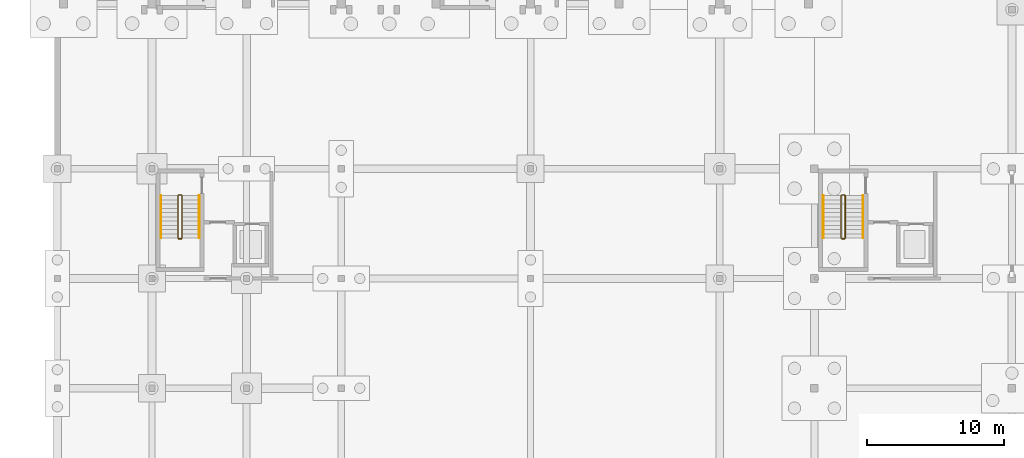
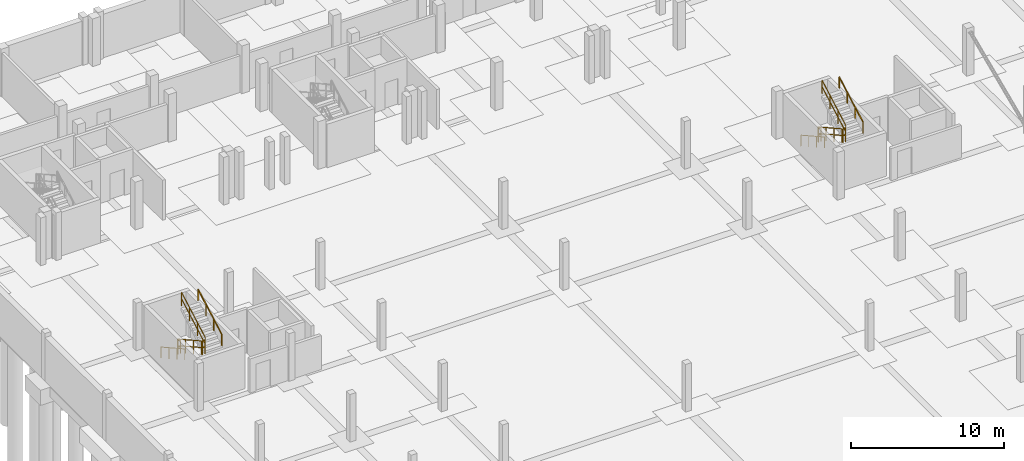
# One storey, part 33 of 38: 12 railings.
"""IFC4 building model written with IfcOpenShell, lengths in metres."""

from ifc_helpers import new_model, si_unit, direction, frame, origin, origin_2d, place, context, subcontext, project, spatial, rectangle, extrude, material, type_object, element, save


model = new_model("IFC4")

# Units and contexts
model_context = context("Model", 3, precision=1e-05, world=origin(), true_north=direction((0.0, 1.0)))
body_context = subcontext(model_context, "Body", "Model", "MODEL_VIEW")
ifc_project = project(units=[si_unit("LENGTHUNIT", "METRE"), si_unit("AREAUNIT", "SQUARE_METRE"), si_unit("VOLUMEUNIT", "CUBIC_METRE"), si_unit("PLANEANGLEUNIT", "RADIAN"), si_unit("MASSUNIT", "GRAM", prefix="KILO")], contexts=[model_context])

# Site, building, storey
site_placement = place(None, origin())
site = spatial("IfcSite", under=ifc_project, at=site_placement, CompositionType="ELEMENT")
building_placement = place(site_placement, origin())
building = spatial("IfcBuilding", under=site, at=building_placement, Name="Zavelmont Quarter", CompositionType="ELEMENT")
storey_placement = place(building_placement, frame((0.0, 0.0, -3.800048828125)))
storey = spatial("IfcBuildingStorey", under=building, at=storey_placement, Name="B01", CompositionType="ELEMENT", Elevation=-3.800048828125)

# Railings
ifc_material_1 = material(Name="Powder-coated steel stair guardrail", Category="steel")
railing_type_1 = type_object("IfcRailingType", Name="RL-GRD1", PredefinedType="GUARDRAIL", material=ifc_material_1)
railing_1_placement = place(storey_placement, frame((57.14990234375, 84.050048828125, 0.1728515625)))
element("IfcRailing", 1, at=railing_1_placement, inside=storey, type_object=railing_type_1, Name="B01 ST09 stair guardrail 1", PredefinedType="GUARDRAIL", context=body_context, shape_type="SweptSolid", body=[
    extrude(rectangle(XDim=0.048095703125, YDim=0.048095703125, at=origin_2d()), frame((0.0, 0.0, 1.076171875), z_axis=(0.0, -0.87355627631, 0.486723157575), x_axis=(1.0, 0.0, 0.0)), (0.0, 0.0, 1.0), 3.548828125),
    extrude(rectangle(XDim=0.048095703125, YDim=0.048095703125, at=origin_2d()), frame((0.0, 0.0, 0.550048828125), z_axis=(0.0, -0.87355627631, 0.486723157575), x_axis=(1.0, 0.0, 0.0)), (0.0, 0.0, 1.0), 3.548828125),
    extrude(rectangle(XDim=0.0419921875, YDim=0.0419921875, at=origin_2d()), origin(), (0.0, 0.0, 1.0), 1.052001953125),
    extrude(rectangle(XDim=0.0419921875, YDim=0.0419921875, at=origin_2d()), frame((0.0, -1.033447265625, 0.57568359375)), (0.0, 0.0, 1.0), 1.052001953125),
    extrude(rectangle(XDim=0.0419921875, YDim=0.0419921875, at=origin_2d()), frame((0.0, -2.066650390625, 1.151611328125)), (0.0, 0.0, 1.0), 1.052001953125),
    extrude(rectangle(XDim=0.0419921875, YDim=0.0419921875, at=origin_2d()), frame((0.0, -3.10009765625, 1.727294921875)), (0.0, 0.0, 1.0), 1.052001953125),
])
railing_2_placement = place(storey_placement, frame((57.199951171875, 80.89990234375, 1.900146484375)))
element("IfcRailing", 2, at=railing_2_placement, inside=storey, type_object=railing_type_1, Name="B01 ST09 stair guardrail 2", PredefinedType="GUARDRAIL", context=body_context, shape_type="SweptSolid", body=[
    extrude(rectangle(XDim=0.048095703125, YDim=0.048095703125, at=origin_2d()), frame((0.0, 0.0, 1.076171875), z_axis=(1.0, 0.0, 0.0), x_axis=(0.0, 1.0, 0.0)), (0.0, 0.0, 1.0), 0.199951171875),
    extrude(rectangle(XDim=0.048095703125, YDim=0.048095703125, at=origin_2d()), frame((0.0, 0.0, 0.550048828125), z_axis=(1.0, 0.0, 0.0), x_axis=(0.0, 1.0, 0.0)), (0.0, 0.0, 1.0), 0.199951171875),
    extrude(rectangle(XDim=0.0419921875, YDim=0.0419921875, at=origin_2d()), origin(), (0.0, 0.0, 1.0), 1.052001953125),
    extrude(rectangle(XDim=0.0419921875, YDim=0.0419921875, at=origin_2d()), frame((0.199951171875, 0.0, 0.0)), (0.0, 0.0, 1.0), 1.052001953125),
])
railing_3_placement = place(storey_placement, frame((57.449951171875, 80.949951171875, 2.07275390625)))
element("IfcRailing", 3, at=railing_3_placement, inside=storey, type_object=railing_type_1, Name="B01 ST09 stair guardrail 3", PredefinedType="GUARDRAIL", context=body_context, shape_type="SweptSolid", body=[
    extrude(rectangle(XDim=0.048095703125, YDim=0.048095703125, at=origin_2d()), frame((0.0, 0.0, 1.076171875), z_axis=(0.0, 0.87355627631, 0.486723157575), x_axis=(-1.0, 0.0, 0.0)), (0.0, 0.0, 1.0), 3.548828125),
    extrude(rectangle(XDim=0.048095703125, YDim=0.048095703125, at=origin_2d()), frame((0.0, 0.0, 0.550048828125), z_axis=(0.0, 0.87355627631, 0.486723157575), x_axis=(-1.0, 0.0, 0.0)), (0.0, 0.0, 1.0), 3.548828125),
    extrude(rectangle(XDim=0.0419921875, YDim=0.0419921875, at=origin_2d()), origin(), (0.0, 0.0, 1.0), 1.052001953125),
    extrude(rectangle(XDim=0.0419921875, YDim=0.0419921875, at=origin_2d()), frame((0.0, 1.033447265625, 0.57568359375)), (0.0, 0.0, 1.0), 1.052001953125),
    extrude(rectangle(XDim=0.0419921875, YDim=0.0419921875, at=origin_2d()), frame((0.0, 2.066650390625, 1.151611328125)), (0.0, 0.0, 1.0), 1.052001953125),
    extrude(rectangle(XDim=0.0419921875, YDim=0.0419921875, at=origin_2d()), frame((0.0, 3.10009765625, 1.727294921875)), (0.0, 0.0, 1.0), 1.052001953125),
])
railing_4_placement = place(storey_placement, frame((57.199951171875, 84.10009765625, 0.0)))
element("IfcRailing", 4, at=railing_4_placement, inside=storey, type_object=railing_type_1, Name="B01 ST09 stair guardrail 4", PredefinedType="GUARDRAIL", context=body_context, shape_type="SweptSolid", body=[
    extrude(rectangle(XDim=0.048095703125, YDim=0.048095703125, at=origin_2d()), frame((0.0, 0.0, 1.076171875), z_axis=(1.0, 0.0, 0.0), x_axis=(0.0, 1.0, 0.0)), (0.0, 0.0, 1.0), 0.199951171875),
    extrude(rectangle(XDim=0.048095703125, YDim=0.048095703125, at=origin_2d()), frame((0.0, 0.0, 0.550048828125), z_axis=(1.0, 0.0, 0.0), x_axis=(0.0, 1.0, 0.0)), (0.0, 0.0, 1.0), 0.199951171875),
    extrude(rectangle(XDim=0.0419921875, YDim=0.0419921875, at=origin_2d()), origin(), (0.0, 0.0, 1.0), 1.052001953125),
    extrude(rectangle(XDim=0.0419921875, YDim=0.0419921875, at=origin_2d()), frame((0.199951171875, 0.0, 0.0)), (0.0, 0.0, 1.0), 1.052001953125),
])
railing_5_placement = place(storey_placement, frame((8.800048828125, 84.050048828125, 0.1728515625)))
element("IfcRailing", 5, at=railing_5_placement, inside=storey, type_object=railing_type_1, Name="B01 ST14 stair guardrail 1", PredefinedType="GUARDRAIL", context=body_context, shape_type="SweptSolid", body=[
    extrude(rectangle(XDim=0.048095703125, YDim=0.048095703125, at=origin_2d()), frame((0.0, 0.0, 1.076171875), z_axis=(0.0, -0.87355627631, 0.486723157575), x_axis=(1.0, 0.0, 0.0)), (0.0, 0.0, 1.0), 3.548828125),
    extrude(rectangle(XDim=0.048095703125, YDim=0.048095703125, at=origin_2d()), frame((0.0, 0.0, 0.550048828125), z_axis=(0.0, -0.87355627631, 0.486723157575), x_axis=(1.0, 0.0, 0.0)), (0.0, 0.0, 1.0), 3.548828125),
    extrude(rectangle(XDim=0.0419921875, YDim=0.0419921875, at=origin_2d()), origin(), (0.0, 0.0, 1.0), 1.052001953125),
    extrude(rectangle(XDim=0.0419921875, YDim=0.0419921875, at=origin_2d()), frame((0.0, -1.033447265625, 0.57568359375)), (0.0, 0.0, 1.0), 1.052001953125),
    extrude(rectangle(XDim=0.0419921875, YDim=0.0419921875, at=origin_2d()), frame((0.0, -2.066650390625, 1.151611328125)), (0.0, 0.0, 1.0), 1.052001953125),
    extrude(rectangle(XDim=0.0419921875, YDim=0.0419921875, at=origin_2d()), frame((0.0, -3.10009765625, 1.727294921875)), (0.0, 0.0, 1.0), 1.052001953125),
])
railing_6_placement = place(storey_placement, frame((8.85009765625, 80.89990234375, 1.900146484375)))
element("IfcRailing", 6, at=railing_6_placement, inside=storey, type_object=railing_type_1, Name="B01 ST14 stair guardrail 2", PredefinedType="GUARDRAIL", context=body_context, shape_type="SweptSolid", body=[
    extrude(rectangle(XDim=0.048095703125, YDim=0.048095703125, at=origin_2d()), frame((0.0, 0.0, 1.076171875), z_axis=(1.0, 0.0, 0.0), x_axis=(0.0, 1.0, 0.0)), (0.0, 0.0, 1.0), 0.199951171875),
    extrude(rectangle(XDim=0.048095703125, YDim=0.048095703125, at=origin_2d()), frame((0.0, 0.0, 0.550048828125), z_axis=(1.0, 0.0, 0.0), x_axis=(0.0, 1.0, 0.0)), (0.0, 0.0, 1.0), 0.199951171875),
    extrude(rectangle(XDim=0.0419921875, YDim=0.0419921875, at=origin_2d()), origin(), (0.0, 0.0, 1.0), 1.052001953125),
    extrude(rectangle(XDim=0.0419921875, YDim=0.0419921875, at=origin_2d()), frame((0.199951171875, 0.0, 0.0)), (0.0, 0.0, 1.0), 1.052001953125),
])
railing_7_placement = place(storey_placement, frame((9.10009765625, 80.949951171875, 2.07275390625)))
element("IfcRailing", 7, at=railing_7_placement, inside=storey, type_object=railing_type_1, Name="B01 ST14 stair guardrail 3", PredefinedType="GUARDRAIL", context=body_context, shape_type="SweptSolid", body=[
    extrude(rectangle(XDim=0.048095703125, YDim=0.048095703125, at=origin_2d()), frame((0.0, 0.0, 1.076171875), z_axis=(0.0, 0.87355627631, 0.486723157575), x_axis=(-1.0, 0.0, 0.0)), (0.0, 0.0, 1.0), 3.548828125),
    extrude(rectangle(XDim=0.048095703125, YDim=0.048095703125, at=origin_2d()), frame((0.0, 0.0, 0.550048828125), z_axis=(0.0, 0.87355627631, 0.486723157575), x_axis=(-1.0, 0.0, 0.0)), (0.0, 0.0, 1.0), 3.548828125),
    extrude(rectangle(XDim=0.0419921875, YDim=0.0419921875, at=origin_2d()), origin(), (0.0, 0.0, 1.0), 1.052001953125),
    extrude(rectangle(XDim=0.0419921875, YDim=0.0419921875, at=origin_2d()), frame((0.0, 1.033447265625, 0.57568359375)), (0.0, 0.0, 1.0), 1.052001953125),
    extrude(rectangle(XDim=0.0419921875, YDim=0.0419921875, at=origin_2d()), frame((0.0, 2.066650390625, 1.151611328125)), (0.0, 0.0, 1.0), 1.052001953125),
    extrude(rectangle(XDim=0.0419921875, YDim=0.0419921875, at=origin_2d()), frame((0.0, 3.10009765625, 1.727294921875)), (0.0, 0.0, 1.0), 1.052001953125),
])
railing_8_placement = place(storey_placement, frame((8.85009765625, 84.10009765625, 0.0)))
element("IfcRailing", 8, at=railing_8_placement, inside=storey, type_object=railing_type_1, Name="B01 ST14 stair guardrail 4", PredefinedType="GUARDRAIL", context=body_context, shape_type="SweptSolid", body=[
    extrude(rectangle(XDim=0.048095703125, YDim=0.048095703125, at=origin_2d()), frame((0.0, 0.0, 1.076171875), z_axis=(1.0, 0.0, 0.0), x_axis=(0.0, 1.0, 0.0)), (0.0, 0.0, 1.0), 0.199951171875),
    extrude(rectangle(XDim=0.048095703125, YDim=0.048095703125, at=origin_2d()), frame((0.0, 0.0, 0.550048828125), z_axis=(1.0, 0.0, 0.0), x_axis=(0.0, 1.0, 0.0)), (0.0, 0.0, 1.0), 0.199951171875),
    extrude(rectangle(XDim=0.0419921875, YDim=0.0419921875, at=origin_2d()), origin(), (0.0, 0.0, 1.0), 1.052001953125),
    extrude(rectangle(XDim=0.0419921875, YDim=0.0419921875, at=origin_2d()), frame((0.199951171875, 0.0, 0.0)), (0.0, 0.0, 1.0), 1.052001953125),
])
ifc_material_2 = material(Name="Brushed stainless-steel wall handrail", Category="steel")
railing_type_2 = type_object("IfcRailingType", Name="RL-HND1", PredefinedType="HANDRAIL", material=ifc_material_2)
railing_9_placement = place(storey_placement, frame((55.85009765625, 84.050048828125, 0.1728515625)))
element("IfcRailing", 9, at=railing_9_placement, inside=storey, type_object=railing_type_2, Name="B01 ST09 stair handrail 1", PredefinedType="HANDRAIL", context=body_context, shape_type="SweptSolid", body=[
    extrude(rectangle(XDim=0.048095703125, YDim=0.048095703125, at=origin_2d()), frame((0.0, 0.0, 0.8759765625), z_axis=(0.0, -0.87355627631, 0.486723157575), x_axis=(1.0, 0.0, 0.0)), (0.0, 0.0, 1.0), 3.548828125),
    extrude(rectangle(XDim=0.0419921875, YDim=0.0419921875, at=origin_2d()), origin(), (0.0, 0.0, 1.0), 0.851806640625),
    extrude(rectangle(XDim=0.0419921875, YDim=0.0419921875, at=origin_2d()), frame((0.0, -1.033447265625, 0.57568359375)), (0.0, 0.0, 1.0), 0.851806640625),
    extrude(rectangle(XDim=0.0419921875, YDim=0.0419921875, at=origin_2d()), frame((0.0, -2.066650390625, 1.151611328125)), (0.0, 0.0, 1.0), 0.851806640625),
    extrude(rectangle(XDim=0.0419921875, YDim=0.0419921875, at=origin_2d()), frame((0.0, -3.10009765625, 1.727294921875)), (0.0, 0.0, 1.0), 0.851806640625),
])
railing_10_placement = place(storey_placement, frame((58.75, 80.949951171875, 2.07275390625)))
element("IfcRailing", 10, at=railing_10_placement, inside=storey, type_object=railing_type_2, Name="B01 ST09 stair handrail 2", PredefinedType="HANDRAIL", context=body_context, shape_type="SweptSolid", body=[
    extrude(rectangle(XDim=0.048095703125, YDim=0.048095703125, at=origin_2d()), frame((0.0, 0.0, 0.8759765625), z_axis=(0.0, 0.87355627631, 0.486723157575), x_axis=(-1.0, 0.0, 0.0)), (0.0, 0.0, 1.0), 3.548828125),
    extrude(rectangle(XDim=0.0419921875, YDim=0.0419921875, at=origin_2d()), origin(), (0.0, 0.0, 1.0), 0.851806640625),
    extrude(rectangle(XDim=0.0419921875, YDim=0.0419921875, at=origin_2d()), frame((0.0, 1.033447265625, 0.57568359375)), (0.0, 0.0, 1.0), 0.851806640625),
    extrude(rectangle(XDim=0.0419921875, YDim=0.0419921875, at=origin_2d()), frame((0.0, 2.066650390625, 1.151611328125)), (0.0, 0.0, 1.0), 0.851806640625),
    extrude(rectangle(XDim=0.0419921875, YDim=0.0419921875, at=origin_2d()), frame((0.0, 3.10009765625, 1.727294921875)), (0.0, 0.0, 1.0), 0.851806640625),
])
railing_11_placement = place(storey_placement, frame((7.550048828125, 84.050048828125, 0.1728515625)))
element("IfcRailing", 11, at=railing_11_placement, inside=storey, type_object=railing_type_2, Name="B01 ST14 stair handrail 1", PredefinedType="HANDRAIL", context=body_context, shape_type="SweptSolid", body=[
    extrude(rectangle(XDim=0.048095703125, YDim=0.048095703125, at=origin_2d()), frame((0.0, 0.0, 0.8759765625), z_axis=(0.0, -0.87355627631, 0.486723157575), x_axis=(1.0, 0.0, 0.0)), (0.0, 0.0, 1.0), 3.548828125),
    extrude(rectangle(XDim=0.0419921875, YDim=0.0419921875, at=origin_2d()), origin(), (0.0, 0.0, 1.0), 0.851806640625),
    extrude(rectangle(XDim=0.0419921875, YDim=0.0419921875, at=origin_2d()), frame((0.0, -1.033447265625, 0.57568359375)), (0.0, 0.0, 1.0), 0.851806640625),
    extrude(rectangle(XDim=0.0419921875, YDim=0.0419921875, at=origin_2d()), frame((0.0, -2.066650390625, 1.151611328125)), (0.0, 0.0, 1.0), 0.851806640625),
    extrude(rectangle(XDim=0.0419921875, YDim=0.0419921875, at=origin_2d()), frame((0.0, -3.10009765625, 1.727294921875)), (0.0, 0.0, 1.0), 0.851806640625),
])
railing_12_placement = place(storey_placement, frame((10.35009765625, 80.949951171875, 2.07275390625)))
element("IfcRailing", 12, at=railing_12_placement, inside=storey, type_object=railing_type_2, Name="B01 ST14 stair handrail 2", PredefinedType="HANDRAIL", context=body_context, shape_type="SweptSolid", body=[
    extrude(rectangle(XDim=0.048095703125, YDim=0.048095703125, at=origin_2d()), frame((0.0, 0.0, 0.8759765625), z_axis=(0.0, 0.87355627631, 0.486723157575), x_axis=(-1.0, 0.0, 0.0)), (0.0, 0.0, 1.0), 3.548828125),
    extrude(rectangle(XDim=0.0419921875, YDim=0.0419921875, at=origin_2d()), origin(), (0.0, 0.0, 1.0), 0.851806640625),
    extrude(rectangle(XDim=0.0419921875, YDim=0.0419921875, at=origin_2d()), frame((0.0, 1.033447265625, 0.57568359375)), (0.0, 0.0, 1.0), 0.851806640625),
    extrude(rectangle(XDim=0.0419921875, YDim=0.0419921875, at=origin_2d()), frame((0.0, 2.066650390625, 1.151611328125)), (0.0, 0.0, 1.0), 0.851806640625),
    extrude(rectangle(XDim=0.0419921875, YDim=0.0419921875, at=origin_2d()), frame((0.0, 3.10009765625, 1.727294921875)), (0.0, 0.0, 1.0), 0.851806640625),
])

save(model, "model.ifc")
